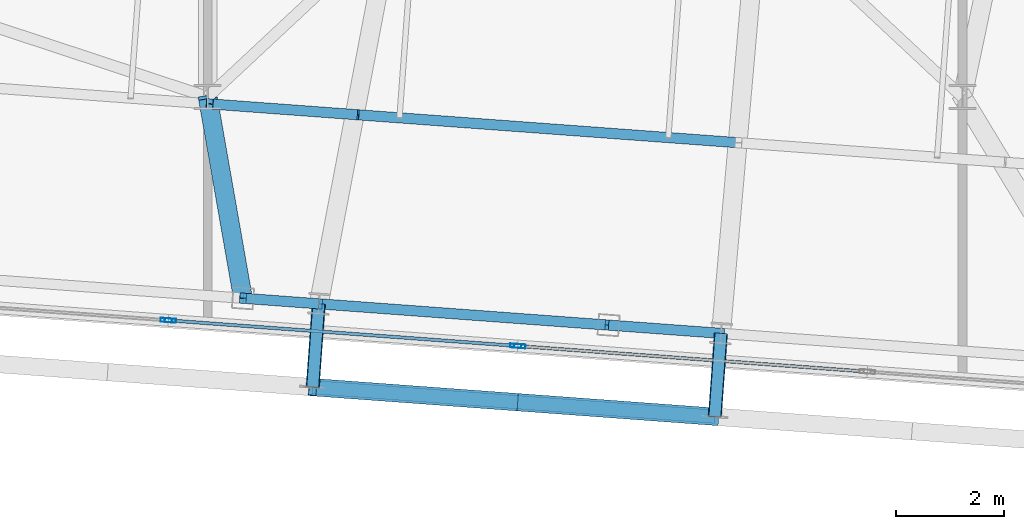
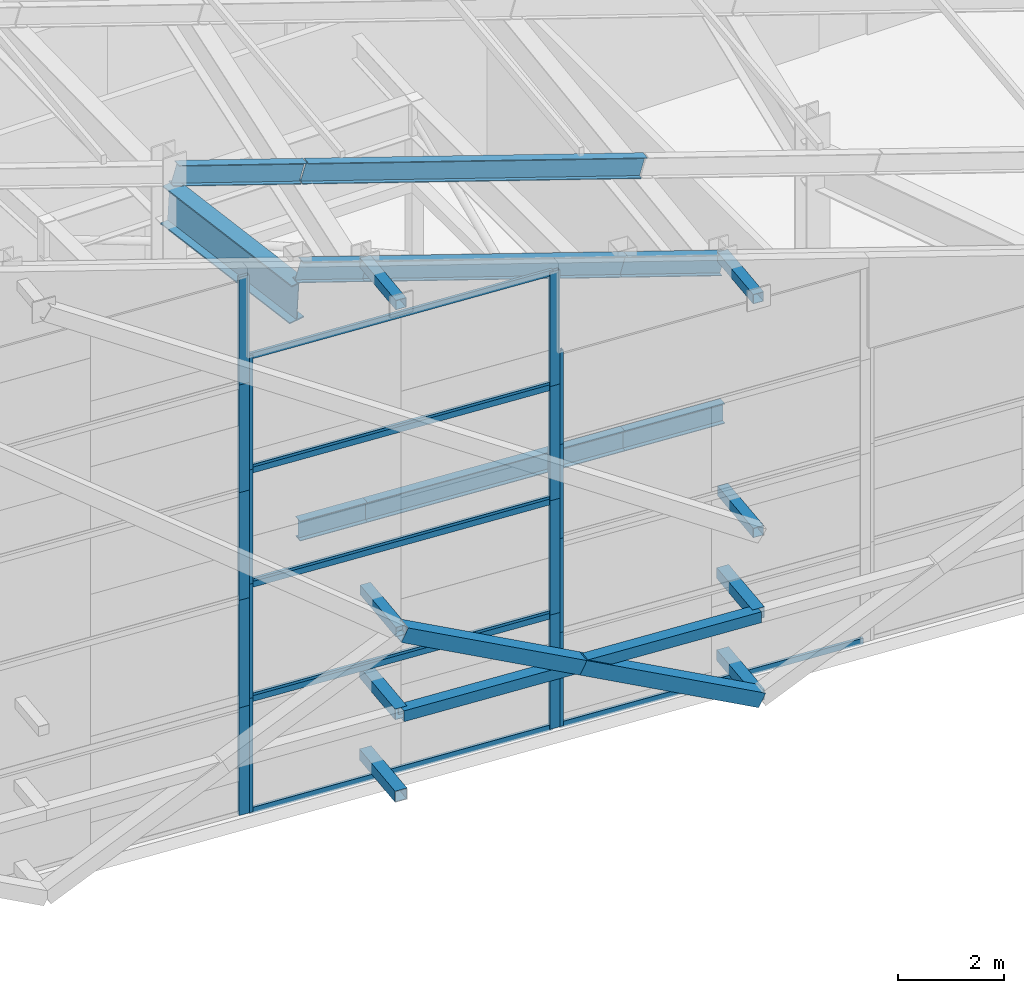
# One storey, part 10 of 56: 39 members, 7 beams, 13 elements without a shape of their own.
"""IFC4 building model written with IfcOpenShell, lengths in metres."""

import ifcopenshell
import ifcopenshell.guid

model = None  # the IFC model being written
_history = None  # IfcOwnerHistory: only IFC2X3 demands one
_inside = {}  # id of a spatial element -> (the spatial element, [elements in it])
_under = {}  # id of a project, library or spatial element -> (it, [spatial elements below it])
_declared = {}  # id of a project -> (the project, [libraries it declares])
_typed = {}  # id of a type object -> (the type object, [elements of that type])
_made_of = {}  # id of a material, layer set ... -> (it, [elements and type objects made of it])


def new_model(schema):
    """Start an empty IFC model of exactly this schema.

    Asked for "IFC4X3", IfcOpenShell would pick the latest addendum, in which some entities
    have other attributes; the version numbers below select the first issue.
    IFC2X3 requires an IfcOwnerHistory on every rooted entity: one is made here for all.
    """
    global model, _history
    if schema == "IFC4X3":
        model = ifcopenshell.file(schema_version=(4, 3, 0, 0))
    else:
        model = ifcopenshell.file(schema=schema)
    _inside.clear()
    _under.clear()
    _declared.clear()
    _typed.clear()
    _made_of.clear()
    _history = None
    if model.schema == "IFC2X3":
        org = make("IfcOrganization", Name="unknown")
        user = make(
            "IfcPersonAndOrganization",
            ThePerson=make("IfcPerson", FamilyName="unknown"),
            TheOrganization=org,
        )
        app = make(
            "IfcApplication",
            ApplicationDeveloper=org,
            Version="unknown",
            ApplicationFullName="unknown",
            ApplicationIdentifier="unknown",
        )
        _history = make(
            "IfcOwnerHistory",
            OwningUser=user,
            OwningApplication=app,
            ChangeAction="ADDED",
            CreationDate=0,
        )
    return model


def make(cls, **values):
    """One entity of the class cls with the attributes given. An attribute that is None is left unset."""
    return model.create_entity(
        cls, **{name: value for name, value in values.items() if value is not None}
    )


def rooted(cls, **values):
    """An entity with a GlobalId (a new one), such as an element, a storey or a relation."""
    return make(cls, GlobalId=ifcopenshell.guid.new(), OwnerHistory=_history, **values)


def si_unit(unit_type, name, prefix=None):
    """IfcSIUnit, for example si_unit("LENGTHUNIT", "METRE", prefix="MILLI")."""
    return make("IfcSIUnit", UnitType=unit_type, Prefix=prefix, Name=name)


def assignment(units):
    """IfcUnitAssignment: the units of a project."""
    return None if units is None else make("IfcUnitAssignment", Units=units)


def point(xyz):
    """IfcCartesianPoint."""
    return None if xyz is None else make("IfcCartesianPoint", Coordinates=xyz)


def direction(xyz):
    """IfcDirection."""
    return None if xyz is None else make("IfcDirection", DirectionRatios=xyz)


def frame(location, z_axis=None, x_axis=None):
    """IfcAxis2Placement3D, a coordinate frame: its origin and axes. An axis left out is left unset."""
    return make(
        "IfcAxis2Placement3D",
        Location=point(location),
        Axis=direction(z_axis),
        RefDirection=direction(x_axis),
    )


def frame_2d(location, x_axis=None):
    """IfcAxis2Placement2D, a coordinate frame in the plane: its origin and x axis."""
    return make(
        "IfcAxis2Placement2D", Location=point(location), RefDirection=direction(x_axis)
    )


def origin():
    """The frame at (0, 0, 0) with its axes left unset."""
    return frame((0.0, 0.0, 0.0))


def origin_2d():
    """The frame at (0, 0) in the plane with its x axis left unset."""
    return frame_2d((0.0, 0.0))


def place(relative_to, where):
    """IfcLocalPlacement: puts the frame where relative to a parent placement (None: the world)."""
    return make(
        "IfcLocalPlacement", PlacementRelTo=relative_to, RelativePlacement=where
    )


def context(
    kind, dimensions, precision=None, world=None, true_north=None, identifier=None
):
    """IfcGeometricRepresentationContext, for example the 3D "Model" context."""
    return make(
        "IfcGeometricRepresentationContext",
        ContextIdentifier=identifier,
        ContextType=kind,
        CoordinateSpaceDimension=dimensions,
        Precision=precision,
        WorldCoordinateSystem=world,
        TrueNorth=true_north,
    )


def subcontext(parent, identifier, kind, view, scale=None):
    """IfcGeometricRepresentationSubContext, for example "Body" below "Model"."""
    return make(
        "IfcGeometricRepresentationSubContext",
        ContextIdentifier=identifier,
        ContextType=kind,
        ParentContext=parent,
        TargetScale=scale,
        TargetView=view,
    )


def project(units=None, contexts=None):
    """IfcProject with its units and contexts."""
    return rooted(
        "IfcProject",
        Name="project",
        RepresentationContexts=contexts,
        UnitsInContext=assignment(units),
    )


def spatial(cls, under=None, at=None, **own):
    """A site, building, storey or space (cls), placed at a placement, below another one or the project."""
    s = rooted(cls, ObjectPlacement=at, **own)
    if under is not None:
        _under.setdefault(under.id(), (under, []))[1].append(s)
    return s


def profile(cls, at=None, kind="AREA", **sizes):
    """A parametric profile (cls). Its sizes go by their IFC names, for example OverallWidth=200.0."""
    return make(cls, ProfileType=kind, Position=at, **sizes)


def hollow_rectangle(**sizes):
    """IfcRectangleHollowProfileDef."""
    return profile("IfcRectangleHollowProfileDef", **sizes)


def i_section(**sizes):
    """IfcIShapeProfileDef."""
    return profile("IfcIShapeProfileDef", **sizes)


def extrude(swept, where, along, depth):
    """IfcExtrudedAreaSolid: the profile swept, set in the frame where, extruded along a direction by depth."""
    return make(
        "IfcExtrudedAreaSolid",
        SweptArea=swept,
        Position=where,
        ExtrudedDirection=direction(along),
        Depth=depth,
    )


def shape(context_of_items, identifier, shape_type, items):
    """IfcShapeRepresentation: the items that make up one representation, for example the "Body"."""
    return make(
        "IfcShapeRepresentation",
        ContextOfItems=context_of_items,
        RepresentationIdentifier=identifier,
        RepresentationType=shape_type,
        Items=items,
    )


def source(mapping_origin, context_of_items, identifier, shape_type, items):
    """IfcRepresentationMap: a shape defined once, which mapped items show again and again."""
    return make(
        "IfcRepresentationMap",
        MappingOrigin=mapping_origin,
        MappedRepresentation=shape(context_of_items, identifier, shape_type, items),
    )


def transform(
    local_origin,
    x_axis=None,
    y_axis=None,
    z_axis=None,
    scale=None,
    scale2=None,
    scale3=None,
    uniform=True,
):
    """IfcCartesianTransformationOperator3D, or its non-uniform kind. x_axis, y_axis, z_axis: its Axis1, 2, 3."""
    if uniform:
        return make(
            "IfcCartesianTransformationOperator3D",
            Axis1=direction(x_axis),
            Axis2=direction(y_axis),
            LocalOrigin=point(local_origin),
            Scale=scale,
            Axis3=direction(z_axis),
        )
    return make(
        "IfcCartesianTransformationOperator3DnonUniform",
        Axis1=direction(x_axis),
        Axis2=direction(y_axis),
        LocalOrigin=point(local_origin),
        Scale=scale,
        Axis3=direction(z_axis),
        Scale2=scale2,
        Scale3=scale3,
    )


def mapped(mapping_source, mapping_target):
    """IfcMappedItem: shows the shape of a source again, moved by a transform."""
    return make(
        "IfcMappedItem", MappingSource=mapping_source, MappingTarget=mapping_target
    )


def material(Name=None, Category=None):
    """IfcMaterial."""
    return make("IfcMaterial", Name=Name, Category=Category)


def layer(
    of_material, thickness, ventilated=None, Name=None, Category=None, Priority=None
):
    """IfcMaterialLayer: one layer of a wall or slab, of a material (None: an air gap)."""
    return make(
        "IfcMaterialLayer",
        Material=of_material,
        LayerThickness=thickness,
        IsVentilated=ventilated,
        Name=Name,
        Category=Category,
        Priority=Priority,
    )


def layer_set(layers, Name=None):
    """IfcMaterialLayerSet."""
    return make("IfcMaterialLayerSet", MaterialLayers=layers, LayerSetName=Name)


def material_profile(
    of_material, cross_section, Name=None, Category=None, Priority=None
):
    """IfcMaterialProfile: a cross section and its material."""
    return make(
        "IfcMaterialProfile",
        Name=Name,
        Material=of_material,
        Profile=cross_section,
        Priority=Priority,
        Category=Category,
    )


def profile_set(profiles, Name=None, composite=None):
    """IfcMaterialProfileSet."""
    return make(
        "IfcMaterialProfileSet",
        Name=Name,
        MaterialProfiles=profiles,
        CompositeProfile=composite,
    )


def made_of(thing, what):
    """Note that an element or type object is made of a material, layer set ...; save() writes the relation."""
    if what is not None:
        _made_of.setdefault(what.id(), (what, []))[1].append(thing)
    return thing


def type_object(cls, material=None, **own):
    """A type object (cls), such as IfcWallType, which elements share."""
    return made_of(rooted(cls, **own), material)


def element(
    cls,
    number,
    at=None,
    inside=None,
    cuts=None,
    type_object=None,
    material=None,
    context=None,
    identifier="Body",
    shape_type=None,
    held_by="IfcProductDefinitionShape",
    body=None,
    shapes=None,
    **own,
):
    """One element of the class cls, such as IfcWall. Its Tag is "e" and its number.

    at: its placement. inside: the storey or other place that contains it. cuts: it is an
    opening in that element (IfcRelVoidsElement). A single representation is given by context,
    identifier, shape_type and body (its items); several are given by shapes. held_by: the class
    of the entity that holds the representations. save() writes the other relations.
    """
    e = rooted(cls, Tag="e%d" % number, ObjectPlacement=at, **own)
    if body is not None:
        shapes = [shape(context, identifier, shape_type, body)]
    if shapes is not None:
        e.Representation = make(held_by, Representations=shapes)
    if inside is not None:
        _inside.setdefault(inside.id(), (inside, []))[1].append(e)
    if cuts is not None:
        rooted(
            "IfcRelVoidsElement", RelatingBuildingElement=cuts, RelatedOpeningElement=e
        )
    if type_object is not None:
        _typed.setdefault(type_object.id(), (type_object, []))[1].append(e)
    return made_of(e, material)


def aggregate(whole, parts):
    """IfcRelAggregates: a whole, such as a stair, and the parts it consists of."""
    return rooted("IfcRelAggregates", RelatingObject=whole, RelatedObjects=parts)


def save(model, path):
    """Write the relations noted so far, then the file.

    IfcRelAggregates (storeys below a building ...), IfcRelContainedInSpatialStructure (elements
    in a storey), IfcRelDefinesByType, IfcRelAssociatesMaterial and IfcRelDeclares: one each for
    every whole, place, type object, material and project.
    """
    for whole, parts in _under.values():
        aggregate(whole, parts)
    for where, things in _inside.values():
        rooted(
            "IfcRelContainedInSpatialStructure",
            RelatedElements=things,
            RelatingStructure=where,
        )
    for kind, things in _typed.values():
        rooted("IfcRelDefinesByType", RelatedObjects=things, RelatingType=kind)
    for what, things in _made_of.values():
        rooted("IfcRelAssociatesMaterial", RelatedObjects=things, RelatingMaterial=what)
    for by, libraries in _declared.values():
        rooted("IfcRelDeclares", RelatingContext=by, RelatedDefinitions=libraries)
    model.write(path)


model = new_model("IFC4")

# Units and contexts
model_context = context("Model", 3, precision=1e-05, world=origin(), true_north=direction((0.0, 1.0)))
body_context = subcontext(model_context, "Body", "Model", "MODEL_VIEW")
ifc_project = project(units=[si_unit("LENGTHUNIT", "METRE"), si_unit("AREAUNIT", "SQUARE_METRE"), si_unit("VOLUMEUNIT", "CUBIC_METRE"), si_unit("PLANEANGLEUNIT", "RADIAN"), si_unit("MASSUNIT", "GRAM", prefix="KILO")], contexts=[model_context])

# Site, building, storey
site_placement = place(None, origin())
site = spatial("IfcSite", under=ifc_project, at=site_placement, CompositionType="ELEMENT")
building_placement = place(site_placement, origin())
building = spatial("IfcBuilding", under=site, at=building_placement, Name="Taldren Reach Tower", CompositionType="ELEMENT")
storey_placement = place(building_placement, frame((0.0, 0.0, 253.050048828125)))
storey = spatial("IfcBuildingStorey", under=building, at=storey_placement, Name="L77", CompositionType="ELEMENT", Elevation=253.050048828125)

# Members
ifc_material_1 = material(Name="Steel Gr 350 (C350L0)", Category="steel")
ifc_material_profile_1 = material_profile(ifc_material_1, hollow_rectangle(XDim=0.25, YDim=0.25, WallThickness=0.010009765625, at=origin_2d()), Name="250x250x10.0SHS")
ifc_profile_set_1 = profile_set([ifc_material_profile_1], Name="Steel Gr 350 (C350L0)")
member_type_1 = type_object("IfcMemberType", Name="MB-POST250", PredefinedType="POST", material=ifc_profile_set_1)
shared_shape_1 = source(origin(), body_context, "Body", "SweptSolid", [
    extrude(hollow_rectangle(XDim=0.25, YDim=0.25, WallThickness=0.010009765625, at=origin_2d()), origin(), (0.0, 0.0, 1.0), 1.5498046875),
])
for number, where, z_axis, x_axis, name in (
    (1, (30.060546875, 5.364501953125, 0.219970703125), (-0.073250797913, -0.997313551801, 0.0), (0.997313551801, -0.073250797913, 0.0), "Exoskeleton base diaphragm tie strut B5-S3 L77"),
    (2, (30.060546875, 5.364501953125, 2.10986328125), (-0.073250797913, -0.997313551801, 0.0), (0.997313551801, -0.073250797913, 0.0), "Exoskeleton mid-tier diaphragm tie B5-S3 L77"),
):
    element("IfcMember", number, at=place(storey_placement, frame(where, z_axis=z_axis, x_axis=x_axis)), inside=storey, type_object=member_type_1, Name=name, PredefinedType="POST", context=body_context, shape_type="MappedRepresentation", body=[
        mapped(shared_shape_1, transform((0.0, 0.0, 0.0), scale=1.0)),
    ])
shared_shape_2 = source(origin(), body_context, "Body", "SweptSolid", [
    extrude(hollow_rectangle(XDim=0.25, YDim=0.25, WallThickness=0.010009765625, at=origin_2d()), origin(), (0.0, 0.0, 1.0), 1.550048828125),
])
for number, where, z_axis, x_axis, name in (
    (3, (37.5205078125, 4.81689453125, 0.219970703125), (-0.07323929162, -0.997314396849, 0.0), (0.997314396849, -0.07323929162, 0.0), "Exoskeleton base diaphragm tie strut B5-S4 L77"),
    (4, (37.5205078125, 4.81689453125, 2.10986328125), (-0.07323929162, -0.997314396849, 0.0), (0.997314396849, -0.07323929162, 0.0), "Exoskeleton mid-tier diaphragm tie B5-S4 L77"),
):
    element("IfcMember", number, at=place(storey_placement, frame(where, z_axis=z_axis, x_axis=x_axis)), inside=storey, type_object=member_type_1, Name=name, PredefinedType="POST", context=body_context, shape_type="MappedRepresentation", body=[
        mapped(shared_shape_2, transform((0.0, 0.0, 0.0), scale=1.0)),
    ])
ifc_material_2 = material(Name="Steel Gr 450 (C450L0)", Category="steel")
ifc_material_profile_2 = material_profile(ifc_material_2, hollow_rectangle(XDim=0.219970703125, YDim=0.219970703125, WallThickness=0.00830078125, at=origin_2d()), Name="220x220x8.2SHS")
ifc_profile_set_2 = profile_set([ifc_material_profile_2], Name="Steel Gr 450 (C450L0)")
member_type_2 = type_object("IfcMemberType", Name="MB-TIE219", PredefinedType="STRUT", material=ifc_profile_set_2)
shared_shape_3 = source(origin(), body_context, "Body", "SweptSolid", [
    extrude(hollow_rectangle(XDim=0.219970703125, YDim=0.219970703125, WallThickness=0.00830078125, at=origin_2d()), origin(), (0.0, 0.0, 1.0), 1.5498046875),
])
for number, where, z_axis, x_axis, name in (
    (5, (30.060546875, 5.364501953125, 11.52197265625), (-0.073250797913, -0.997313551801, 0.0), (0.997313551801, -0.073250797913, 0.0), "Exoskeleton diaphragm tie strut B5-S3 L77"),
    (6, (30.060546875, 5.364501953125, 4.0), (-0.073250797913, -0.997313551801, 0.0), (0.997313551801, -0.073250797913, 0.0), "Crown exoskeleton mid-tier tie strut B5-S3"),
):
    element("IfcMember", number, at=place(storey_placement, frame(where, z_axis=z_axis, x_axis=x_axis)), inside=storey, type_object=member_type_2, Name=name, PredefinedType="STRUT", context=body_context, shape_type="MappedRepresentation", body=[
        mapped(shared_shape_3, transform((0.0, 0.0, 0.0), scale=1.0)),
    ])
shared_shape_4 = source(origin(), body_context, "Body", "SweptSolid", [
    extrude(hollow_rectangle(XDim=0.219970703125, YDim=0.219970703125, WallThickness=0.00830078125, at=origin_2d()), origin(), (0.0, 0.0, 1.0), 1.550048828125),
])
for number, where, z_axis, x_axis, name in (
    (7, (37.5205078125, 4.81689453125, 9.3779296875), (-0.07323929162, -0.997314396849, 0.0), (0.997314396849, -0.07323929162, 0.0), "Exoskeleton diaphragm tie strut B5-S4 L77"),
    (8, (37.5205078125, 4.81689453125, 4.0), (-0.07323929162, -0.997314396849, 0.0), (0.997314396849, -0.07323929162, 0.0), "Crown exoskeleton mid-tier tie strut B5-S4"),
):
    element("IfcMember", number, at=place(storey_placement, frame(where, z_axis=z_axis, x_axis=x_axis)), inside=storey, type_object=member_type_2, Name=name, PredefinedType="STRUT", context=body_context, shape_type="MappedRepresentation", body=[
        mapped(shared_shape_4, transform((0.0, 0.0, 0.0), scale=1.0)),
    ])
shared_shape_5 = source(origin(), body_context, "Body", "SweptSolid", [
    extrude(hollow_rectangle(XDim=0.25, YDim=0.25, WallThickness=0.010009765625, at=origin_2d()), origin(), (0.0, 0.0, 1.0), 7.47998046875),
])
member_1_placement = place(storey_placement, frame((29.947021484375, 3.81884765625, 2.10986328125), z_axis=(0.997314220642, -0.07324169103, 0.0), x_axis=(0.07324169103, 0.997314220642, 0.0)))
element("IfcMember", 9, at=member_1_placement, inside=storey, type_object=member_type_1, Name="Exoskeleton mid-height ring chord B5-S3 L77", PredefinedType="POST", context=body_context, shape_type="MappedRepresentation", body=[
    mapped(shared_shape_5, transform((0.0, 0.0, 0.0), scale=1.0)),
])

# Beam
ifc_material_3 = material(Name="Steel Gr 350 (350PLUS)", Category="steel")
ifc_material_profile_3 = material_profile(ifc_material_3, i_section(OverallWidth=0.35009765625, OverallDepth=0.916015625, WebThickness=0.013916015625, FlangeThickness=0.028076171875, at=origin_2d()), Name="900WB257")
ifc_profile_set_3 = profile_set([ifc_material_profile_3], Name="Steel Gr 350 (350PLUS)")
beam_type_1 = type_object("IfcBeamType", Name="BM-WB900", PredefinedType="BEAM", material=ifc_profile_set_3)
shared_shape_6 = source(origin(), body_context, "Body", "SweptSolid", [
    extrude(i_section(OverallWidth=0.35009765625, OverallDepth=0.916015625, WebThickness=0.013916015625, FlangeThickness=0.028076171875, at=origin_2d()), origin(), (0.0, 0.0, 1.0), 3.79833984375),
])
beam_1_placement = place(storey_placement, frame((28.654296875, 5.4677734375, 11.024658203125), z_axis=(-0.172256101292, 0.982566798677, 0.069930835151), x_axis=(-0.984978180486, -0.172678846321, 0.0)))
element("IfcBeam", 10, at=beam_1_placement, inside=storey, type_object=beam_type_1, Name="Crown transverse portal girder PF2-1", PredefinedType="BEAM", context=body_context, shape_type="MappedRepresentation", body=[
    mapped(shared_shape_6, transform((0.0, 0.0, 0.0), scale=1.0)),
])

# Members
ifc_material_profile_4 = material_profile(ifc_material_3, i_section(OverallWidth=0.19091796875, OverallDepth=0.4599609375, WebThickness=0.010009765625, FlangeThickness=0.01611328125, at=origin_2d()), Name="460UB82.1")
ifc_profile_set_4 = profile_set([ifc_material_profile_4], Name="Steel Gr 350 (350PLUS)")
member_type_3 = type_object("IfcMemberType", Name="MB-RAF460", PredefinedType="RAFTER", material=ifc_profile_set_4)
shared_shape_7 = source(origin(), body_context, "Body", "SweptSolid", [
    extrude(i_section(OverallWidth=0.19091796875, OverallDepth=0.4599609375, WebThickness=0.010009765625, FlangeThickness=0.01611328125, at=origin_2d()), origin(), (0.0, 0.0, 1.0), 7.377685546875),
])
member_2_placement = place(storey_placement, frame((37.815185546875, 8.354736328125, 9.193603515625), z_axis=(-0.958704661283, 0.070386414502, 0.275556028943), x_axis=(-0.073221171245, -0.997315727381, 0.0)))
element("IfcMember", 11, at=member_2_placement, inside=storey, type_object=member_type_3, Name="Crown sloped rafter RF-1.4", PredefinedType="RAFTER", context=body_context, shape_type="MappedRepresentation", body=[
    mapped(shared_shape_7, transform((0.0, 0.0, 0.0), scale=1.0)),
])
shared_shape_8 = source(origin(), body_context, "Body", "SweptSolid", [
    extrude(i_section(OverallWidth=0.19091796875, OverallDepth=0.4599609375, WebThickness=0.010009765625, FlangeThickness=0.01611328125, at=origin_2d()), origin(), (0.0, 0.0, 1.0), 2.79052734375),
])
member_3_placement = place(storey_placement, frame((30.71240234375, 8.876220703125, 11.235107421875), z_axis=(-0.958692727429, 0.070427782951, 0.275586976766), x_axis=(-0.073264881948, -0.997312517255, 0.0)))
element("IfcMember", 12, at=member_3_placement, inside=storey, type_object=member_type_3, Name="Crown sloped rafter RF-1.5", PredefinedType="RAFTER", context=body_context, shape_type="MappedRepresentation", body=[
    mapped(shared_shape_8, transform((0.0, 0.0, 0.0), scale=1.0)),
])

# Beams
ifc_material_profile_5 = material_profile(ifc_material_3, i_section(OverallWidth=0.19091796875, OverallDepth=0.4599609375, WebThickness=0.010009765625, FlangeThickness=0.01611328125, at=origin_2d()), Name="460UB82.1")
ifc_profile_set_5 = profile_set([ifc_material_profile_5], Name="Steel Gr 350 (350PLUS)")
beam_type_2 = type_object("IfcBeamType", Name="BM-UB460A", PredefinedType="BEAM", material=ifc_profile_set_5)
shared_shape_9 = source(origin(), body_context, "Body", "SweptSolid", [
    extrude(i_section(OverallWidth=0.19091796875, OverallDepth=0.4599609375, WebThickness=0.010009765625, FlangeThickness=0.01611328125, at=origin_2d()), origin(), (0.0, 0.0, 1.0), 1.466796875),
])
beam_2_placement = place(storey_placement, frame((28.654296875, 5.4677734375, 11.751953125), z_axis=(0.958684508881, -0.070403393621, -0.275621796303), x_axis=(0.073240270738, 0.997314324946, 0.0)))
element("IfcBeam", 13, at=beam_2_placement, inside=storey, type_object=beam_type_2, Name="Crown sloped perimeter rake girder S3", PredefinedType="BEAM", context=body_context, shape_type="MappedRepresentation", body=[
    mapped(shared_shape_9, transform((0.0, 0.0, 0.0), scale=1.0)),
])
shared_shape_10 = source(origin(), body_context, "Body", "SweptSolid", [
    extrude(i_section(OverallWidth=0.19091796875, OverallDepth=0.4599609375, WebThickness=0.010009765625, FlangeThickness=0.01611328125, at=origin_2d()), origin(), (0.0, 0.0, 1.0), 5.60693359375),
])
beam_3_placement = place(storey_placement, frame((30.060546875, 5.364501953125, 11.34765625), z_axis=(0.958709372828, -0.07040753274, -0.275534240678), x_axis=(0.073242664148, 0.997314149177, 0.0)))
element("IfcBeam", 14, at=beam_3_placement, inside=storey, type_object=beam_type_2, Name="Crown sloped perimeter rake girder S4", PredefinedType="BEAM", context=body_context, shape_type="MappedRepresentation", body=[
    mapped(shared_shape_10, transform((0.0, 0.0, 0.0), scale=1.0)),
])
shared_shape_11 = source(origin(), body_context, "Body", "SweptSolid", [
    extrude(i_section(OverallWidth=0.19091796875, OverallDepth=0.4599609375, WebThickness=0.010009765625, FlangeThickness=0.01611328125, at=origin_2d()), origin(), (0.0, 0.0, 1.0), 2.17431640625),
])
beam_4_placement = place(storey_placement, frame((35.43603515625, 4.9697265625, 9.802734375), z_axis=(0.958682509183, -0.070289909903, -0.275657713755), x_axis=(0.073122997697, 0.997322930253, 0.0)))
element("IfcBeam", 15, at=beam_4_placement, inside=storey, type_object=beam_type_2, Name="Crown sloped perimeter rake girder S5", PredefinedType="BEAM", context=body_context, shape_type="MappedRepresentation", body=[
    mapped(shared_shape_11, transform((0.0, 0.0, 0.0), scale=1.0)),
])
shared_shape_12 = source(origin(), body_context, "Body", "SweptSolid", [
    extrude(i_section(OverallWidth=0.19091796875, OverallDepth=0.4599609375, WebThickness=0.010009765625, FlangeThickness=0.01611328125, at=origin_2d()), origin(), (0.0, 0.0, 1.0), 1.41015625),
])
beam_5_placement = place(storey_placement, frame((28.654296875, 5.4677734375, 5.800048828125), z_axis=(0.997314324946, -0.073240270738, 0.0), x_axis=(0.073240270738, 0.997314324946, 0.0)))
element("IfcBeam", 16, at=beam_5_placement, inside=storey, type_object=beam_type_2, Name="Crown perimeter wind girt LO PJ1-S3", PredefinedType="BEAM", context=body_context, shape_type="MappedRepresentation", body=[
    mapped(shared_shape_12, transform((0.0, 0.0, 0.0), scale=1.0)),
])
shared_shape_13 = source(origin(), body_context, "Body", "SweptSolid", [
    extrude(i_section(OverallWidth=0.19091796875, OverallDepth=0.4599609375, WebThickness=0.010009765625, FlangeThickness=0.01611328125, at=origin_2d()), origin(), (0.0, 0.0, 1.0), 5.389892578125),
])
beam_6_placement = place(storey_placement, frame((30.060546875, 5.364501953125, 5.800048828125), z_axis=(0.997314149177, -0.073242664148, 0.0), x_axis=(0.073242664148, 0.997314149177, 0.0)))
element("IfcBeam", 17, at=beam_6_placement, inside=storey, type_object=beam_type_2, Name="Crown perimeter wind girt LO S3-PJ2", PredefinedType="BEAM", context=body_context, shape_type="MappedRepresentation", body=[
    mapped(shared_shape_13, transform((0.0, 0.0, 0.0), scale=1.0)),
])
shared_shape_14 = source(origin(), body_context, "Body", "SweptSolid", [
    extrude(i_section(OverallWidth=0.19091796875, OverallDepth=0.4599609375, WebThickness=0.010009765625, FlangeThickness=0.01611328125, at=origin_2d()), origin(), (0.0, 0.0, 1.0), 2.090087890625),
])
beam_7_placement = place(storey_placement, frame((35.43603515625, 4.9697265625, 5.800048828125), z_axis=(0.997322930253, -0.073122997697, 0.0), x_axis=(0.073122997697, 0.997322930253, 0.0)))
element("IfcBeam", 18, at=beam_7_placement, inside=storey, type_object=beam_type_2, Name="Crown perimeter wind girt LO PJ2-S4", PredefinedType="BEAM", context=body_context, shape_type="MappedRepresentation", body=[
    mapped(shared_shape_14, transform((0.0, 0.0, 0.0), scale=1.0)),
])

# Members
ifc_material_profile_6 = material_profile(ifc_material_2, hollow_rectangle(XDim=0.324951171875, YDim=0.324951171875, WallThickness=0.0126953125, at=origin_2d()), Name="325x325x12.7SHS")
ifc_profile_set_6 = profile_set([ifc_material_profile_6], Name="Steel Gr 450 (C450L0)")
member_type_4 = type_object("IfcMemberType", Name="MB-BR324", PredefinedType="BRACE", material=ifc_profile_set_6)
shared_shape_15 = source(origin(), body_context, "Body", "SweptSolid", [
    extrude(hollow_rectangle(XDim=0.324951171875, YDim=0.324951171875, WallThickness=0.0126953125, at=origin_2d()), origin(), (0.0, 0.0, 1.0), 4.1904296875),
])
for number, where, z_axis, x_axis, name in (
    (19, (37.406982421875, 3.27099609375, 0.219970703125), (-0.890124363023, 0.065369782387, 0.451004889001), (-0.07324169103, -0.997314220642, 0.0), "Exoskeleton Diagrid Brace B5-S3 L77"),
    (20, (33.677001953125, 3.544921875, 2.10986328125), (-0.890100973194, 0.065368064663, 0.451051298237), (-0.07324169103, -0.997314220642, 0.0), "Exoskeleton Diagrid Brace B5-S3 L77"),
):
    element("IfcMember", number, at=place(storey_placement, frame(where, z_axis=z_axis, x_axis=x_axis)), inside=storey, type_object=member_type_4, Name=name, PredefinedType="BRACE", context=body_context, shape_type="MappedRepresentation", body=[
        mapped(shared_shape_15, transform((0.0, 0.0, 0.0), scale=1.0)),
    ])

# Curtain wall, members
ifc_material_4 = material(Name="Aluminium and Low-E Glass Unitised System", Category="aluminium")
ifc_layer = layer(ifc_material_4, 0.159912109375)
ifc_layer_set = layer_set([ifc_layer], Name="Aluminium and Low-E Glass Unitised System")
curtain_wall_type = type_object("IfcCurtainWallType", Name="CW-SYS-8", PredefinedType="NOTDEFINED", material=ifc_layer_set)
curtain_wall_1_placement = place(storey_placement, origin())
curtain_wall_1 = element("IfcCurtainWall", 21, at=curtain_wall_1_placement, inside=storey, type_object=curtain_wall_type, Name="Unitised curtain wall CW8-L77-S3", PredefinedType="NOTDEFINED")
ifc_material_5 = material(Name="Anodised Aluminium 6063-T6", Category="aluminium")
ifc_material_profile_7 = material_profile(ifc_material_5, hollow_rectangle(XDim=0.06005859375, YDim=0.135009765625, WallThickness=0.00341796875, at=origin_2d()), Name="ALU-135x60x3.5RHS")
ifc_profile_set_7 = profile_set([ifc_material_profile_7], Name="Anodised Aluminium 6063-T6")
member_type_5 = type_object("IfcMemberType", Name="CW-TRN-150", PredefinedType="USERDEFINED", material=ifc_profile_set_7)
shared_shape_16 = source(origin(), body_context, "Body", "SweptSolid", [
    extrude(hollow_rectangle(XDim=0.06005859375, YDim=0.135009765625, WallThickness=0.00341796875, at=origin_2d()), origin(), (0.0, 0.0, 1.0), 6.349853515625),
])
member_4_placement = place(storey_placement, frame((27.345458984375, 5.052490234375, 0.030029296875), z_axis=(0.997316838771, -0.073206031883, 0.0), x_axis=(0.073206031883, 0.997316838771, 0.0)))
member_4 = element("IfcMember", 22, at=member_4_placement, type_object=member_type_5, Name="CW-8 transom 1.1", ObjectType="TRANSOM", PredefinedType="USERDEFINED", context=body_context, shape_type="MappedRepresentation", body=[
    mapped(shared_shape_16, transform((0.0, 0.0, 0.0), scale=1.0)),
])
member_5_placement = place(storey_placement, frame((27.345458984375, 5.052490234375, 2.5986328125), z_axis=(0.997316838771, -0.073206031883, 0.0), x_axis=(0.073206031883, 0.997316838771, 0.0)))
member_5 = element("IfcMember", 23, at=member_5_placement, type_object=member_type_5, Name="CW-8 transom 1.2", ObjectType="TRANSOM", PredefinedType="USERDEFINED", context=body_context, shape_type="MappedRepresentation", body=[
    mapped(shared_shape_16, transform((0.0, 0.0, 0.0), scale=1.0)),
])

curtain_wall_2_placement = place(storey_placement, origin())
curtain_wall_2 = element("IfcCurtainWall", 24, at=curtain_wall_2_placement, inside=storey, type_object=curtain_wall_type, Name="Unitised curtain wall CW8-L77-S3-T2", PredefinedType="NOTDEFINED")
member_6_placement = place(storey_placement, frame((27.345458984375, 5.052490234375, 2.65869140625), z_axis=(0.997316838771, -0.073206031883, 0.0), x_axis=(0.073206031883, 0.997316838771, 0.0)))
member_6 = element("IfcMember", 25, at=member_6_placement, type_object=member_type_5, Name="CW-8 transom 1.1", ObjectType="TRANSOM", PredefinedType="USERDEFINED", context=body_context, shape_type="MappedRepresentation", body=[
    mapped(shared_shape_16, transform((0.0, 0.0, 0.0), scale=1.0)),
])
member_7_placement = place(storey_placement, frame((27.345458984375, 5.052490234375, 5.227294921875), z_axis=(0.997316838771, -0.073206031883, 0.0), x_axis=(0.073206031883, 0.997316838771, 0.0)))
member_7 = element("IfcMember", 26, at=member_7_placement, type_object=member_type_5, Name="CW-8 transom 1.2", ObjectType="TRANSOM", PredefinedType="USERDEFINED", context=body_context, shape_type="MappedRepresentation", body=[
    mapped(shared_shape_16, transform((0.0, 0.0, 0.0), scale=1.0)),
])

curtain_wall_3_placement = place(storey_placement, origin())
curtain_wall_3 = element("IfcCurtainWall", 27, at=curtain_wall_3_placement, inside=storey, type_object=curtain_wall_type, Name="Unitised curtain wall CW8-L77-S3-T3", PredefinedType="NOTDEFINED")
member_8_placement = place(storey_placement, frame((27.345458984375, 5.052490234375, 5.287353515625), z_axis=(0.997316838771, -0.073206031883, 0.0), x_axis=(0.073206031883, 0.997316838771, 0.0)))
member_8 = element("IfcMember", 28, at=member_8_placement, type_object=member_type_5, Name="CW-8 transom 1.1", ObjectType="TRANSOM", PredefinedType="USERDEFINED", context=body_context, shape_type="MappedRepresentation", body=[
    mapped(shared_shape_16, transform((0.0, 0.0, 0.0), scale=1.0)),
])
member_9_placement = place(storey_placement, frame((27.345458984375, 5.052490234375, 7.856201171875), z_axis=(0.997316838771, -0.073206031883, 0.0), x_axis=(0.073206031883, 0.997316838771, 0.0)))
member_9 = element("IfcMember", 29, at=member_9_placement, type_object=member_type_5, Name="CW-8 transom 1.2", ObjectType="TRANSOM", PredefinedType="USERDEFINED", context=body_context, shape_type="MappedRepresentation", body=[
    mapped(shared_shape_16, transform((0.0, 0.0, 0.0), scale=1.0)),
])

curtain_wall_4_placement = place(storey_placement, origin())
curtain_wall_4 = element("IfcCurtainWall", 30, at=curtain_wall_4_placement, inside=storey, type_object=curtain_wall_type, Name="Unitised curtain wall CW8-L77-S3-T4", PredefinedType="NOTDEFINED")
member_10_placement = place(storey_placement, frame((27.345458984375, 5.052490234375, 7.916015625), z_axis=(0.997316838771, -0.073206031883, 0.0), x_axis=(0.073206031883, 0.997316838771, 0.0)))
member_10 = element("IfcMember", 31, at=member_10_placement, type_object=member_type_5, Name="CW-8 transom 1.1", ObjectType="TRANSOM", PredefinedType="USERDEFINED", context=body_context, shape_type="MappedRepresentation", body=[
    mapped(shared_shape_16, transform((0.0, 0.0, 0.0), scale=1.0)),
])
member_11_placement = place(storey_placement, frame((27.345458984375, 5.052490234375, 10.48486328125), z_axis=(0.997316838771, -0.073206031883, 0.0), x_axis=(0.073206031883, 0.997316838771, 0.0)))
member_11 = element("IfcMember", 32, at=member_11_placement, type_object=member_type_5, Name="CW-8 transom 1.2", ObjectType="TRANSOM", PredefinedType="USERDEFINED", context=body_context, shape_type="MappedRepresentation", body=[
    mapped(shared_shape_16, transform((0.0, 0.0, 0.0), scale=1.0)),
])

# Curtain wall, member
curtain_wall_5_placement = place(storey_placement, origin())
curtain_wall_5 = element("IfcCurtainWall", 33, at=curtain_wall_5_placement, inside=storey, type_object=curtain_wall_type, Name="Unitised curtain wall CW8-L77-S2", PredefinedType="NOTDEFINED")
ifc_material_profile_8 = material_profile(ifc_material_5, hollow_rectangle(XDim=0.074951171875, YDim=0.2099609375, WallThickness=0.00439453125, at=origin_2d()), Name="ALU-210x75x4.5RHS")
ifc_profile_set_8 = profile_set([ifc_material_profile_8], Name="Anodised Aluminium 6063-T6")
member_type_6 = type_object("IfcMemberType", Name="CW-MUL-200", PredefinedType="MULLION", material=ifc_profile_set_8)
shared_shape_17 = source(origin(), body_context, "Body", "SweptSolid", [
    extrude(hollow_rectangle(XDim=0.074951171875, YDim=0.2099609375, WallThickness=0.00439453125, at=origin_2d()), origin(), (0.0, 0.0, 1.0), 2.4755859375),
])
member_12_placement = place(storey_placement, frame((27.233154296875, 5.060791015625, 0.0), z_axis=(0.0, 0.0, 1.0), x_axis=(0.073238393838, 0.997314462779, 0.0)))
member_12 = element("IfcMember", 34, at=member_12_placement, type_object=member_type_6, Name="CW-8 mullion 2", PredefinedType="MULLION", context=body_context, shape_type="MappedRepresentation", body=[
    mapped(shared_shape_17, transform((0.0, 0.0, 0.0), scale=1.0)),
])
aggregate(curtain_wall_5, [member_12])

curtain_wall_6_placement = place(storey_placement, origin())
curtain_wall_6 = element("IfcCurtainWall", 35, at=curtain_wall_6_placement, inside=storey, type_object=curtain_wall_type, Name="Unitised curtain wall CW8-L77-S2-T2", PredefinedType="NOTDEFINED")
member_13_placement = place(storey_placement, frame((27.233154296875, 5.060791015625, 2.4755859375), z_axis=(0.0, 0.0, 1.0), x_axis=(0.073238393838, 0.997314462779, 0.0)))
member_13 = element("IfcMember", 36, at=member_13_placement, type_object=member_type_6, Name="CW-8 mullion 2", PredefinedType="MULLION", context=body_context, shape_type="MappedRepresentation", body=[
    mapped(shared_shape_17, transform((0.0, 0.0, 0.0), scale=1.0)),
])
aggregate(curtain_wall_6, [member_13])

curtain_wall_7_placement = place(storey_placement, origin())
curtain_wall_7 = element("IfcCurtainWall", 37, at=curtain_wall_7_placement, inside=storey, type_object=curtain_wall_type, Name="Unitised curtain wall CW8-L77-S2-T4", PredefinedType="NOTDEFINED")
member_14_placement = place(storey_placement, frame((27.233154296875, 5.060791015625, 7.427001953125), z_axis=(0.0, 0.0, 1.0), x_axis=(0.073238393838, 0.997314462779, 0.0)))
member_14 = element("IfcMember", 38, at=member_14_placement, type_object=member_type_6, Name="CW-8 mullion 2", PredefinedType="MULLION", context=body_context, shape_type="MappedRepresentation", body=[
    mapped(shared_shape_17, transform((0.0, 0.0, 0.0), scale=1.0)),
])
aggregate(curtain_wall_7, [member_14])

curtain_wall_8_placement = place(storey_placement, origin())
curtain_wall_8 = element("IfcCurtainWall", 39, at=curtain_wall_8_placement, inside=storey, type_object=curtain_wall_type, Name="Unitised curtain wall CW8-L77-S2-T5", PredefinedType="NOTDEFINED")
member_15_placement = place(storey_placement, frame((27.233154296875, 5.060791015625, 9.902587890625), z_axis=(0.0, 0.0, 1.0), x_axis=(0.073238393838, 0.997314462779, 0.0)))
member_15 = element("IfcMember", 40, at=member_15_placement, type_object=member_type_6, Name="CW-8 mullion 2", PredefinedType="MULLION", context=body_context, shape_type="MappedRepresentation", body=[
    mapped(shared_shape_17, transform((0.0, 0.0, 0.0), scale=1.0)),
])
aggregate(curtain_wall_8, [member_15])

curtain_wall_9_placement = place(storey_placement, origin())
curtain_wall_9 = element("IfcCurtainWall", 41, at=curtain_wall_9_placement, inside=storey, type_object=curtain_wall_type, Name="Unitised curtain wall CW8-L77-S4", PredefinedType="NOTDEFINED")
shared_shape_18 = source(origin(), body_context, "Body", "SweptSolid", [
    extrude(hollow_rectangle(XDim=0.06005859375, YDim=0.135009765625, WallThickness=0.00341796875, at=origin_2d()), origin(), (0.0, 0.0, 1.0), 6.35009765625),
])
member_16_placement = place(storey_placement, frame((33.827880859375, 4.57666015625, 0.030029296875), z_axis=(0.997314237186, -0.073241465761, 0.0), x_axis=(0.073241465761, 0.997314237186, 0.0)))
member_16 = element("IfcMember", 42, at=member_16_placement, type_object=member_type_5, Name="CW-8 transom 1.1", ObjectType="TRANSOM", PredefinedType="USERDEFINED", context=body_context, shape_type="MappedRepresentation", body=[
    mapped(shared_shape_18, transform((0.0, 0.0, 0.0), scale=1.0)),
])

curtain_wall_10_placement = place(storey_placement, origin())
curtain_wall_10 = element("IfcCurtainWall", 43, at=curtain_wall_10_placement, inside=storey, type_object=curtain_wall_type, Name="Unitised curtain wall CW8-L77-S2-T3", PredefinedType="NOTDEFINED")
shared_shape_19 = source(origin(), body_context, "Body", "SweptSolid", [
    extrude(hollow_rectangle(XDim=0.074951171875, YDim=0.2099609375, WallThickness=0.00439453125, at=origin_2d()), origin(), (0.0, 0.0, 1.0), 2.475830078125),
])
member_17_placement = place(storey_placement, frame((27.233154296875, 5.060791015625, 4.951171875), z_axis=(0.0, 0.0, 1.0), x_axis=(0.073238393838, 0.997314462779, 0.0)))
member_17 = element("IfcMember", 44, at=member_17_placement, type_object=member_type_6, Name="CW-8 mullion 2", PredefinedType="MULLION", context=body_context, shape_type="MappedRepresentation", body=[
    mapped(shared_shape_19, transform((0.0, 0.0, 0.0), scale=1.0)),
])
aggregate(curtain_wall_10, [member_17])

# Member
shared_shape_20 = source(origin(), body_context, "Body", "SweptSolid", [
    extrude(hollow_rectangle(XDim=0.074951171875, YDim=0.2099609375, WallThickness=0.00439453125, at=origin_2d()), origin(), (0.0, 0.0, 1.0), 2.628662109375),
])
member_18_placement = place(storey_placement, frame((27.307861328125, 5.055419921875, 0.0), z_axis=(0.0, 0.0, 1.0), x_axis=(0.073236975997, 0.997314566898, 0.0)))
member_18 = element("IfcMember", 45, at=member_18_placement, type_object=member_type_6, Name="CW-8 mullion 1", PredefinedType="MULLION", context=body_context, shape_type="MappedRepresentation", body=[
    mapped(shared_shape_20, transform((0.0, 0.0, 0.0), scale=1.0)),
])

member_19_placement = place(storey_placement, frame((33.715576171875, 4.584716796875, 0.0), z_axis=(0.0, 0.0, 1.0), x_axis=(0.073236975997, 0.997314566898, 0.0)))
member_19 = element("IfcMember", 46, at=member_19_placement, type_object=member_type_6, Name="CW-8 mullion 2", PredefinedType="MULLION", context=body_context, shape_type="MappedRepresentation", body=[
    mapped(shared_shape_20, transform((0.0, 0.0, 0.0), scale=1.0)),
])

aggregate(curtain_wall_1, [member_18, member_19, member_4, member_5])

member_20_placement = place(storey_placement, frame((27.307861328125, 5.055419921875, 2.628662109375), z_axis=(0.0, 0.0, 1.0), x_axis=(0.073236975997, 0.997314566898, 0.0)))
member_20 = element("IfcMember", 47, at=member_20_placement, type_object=member_type_6, Name="CW-8 mullion 1", PredefinedType="MULLION", context=body_context, shape_type="MappedRepresentation", body=[
    mapped(shared_shape_20, transform((0.0, 0.0, 0.0), scale=1.0)),
])

member_21_placement = place(storey_placement, frame((33.715576171875, 4.584716796875, 2.628662109375), z_axis=(0.0, 0.0, 1.0), x_axis=(0.073236975997, 0.997314566898, 0.0)))
member_21 = element("IfcMember", 48, at=member_21_placement, type_object=member_type_6, Name="CW-8 mullion 2", PredefinedType="MULLION", context=body_context, shape_type="MappedRepresentation", body=[
    mapped(shared_shape_20, transform((0.0, 0.0, 0.0), scale=1.0)),
])

aggregate(curtain_wall_2, [member_20, member_21, member_6, member_7])

member_22_placement = place(storey_placement, frame((27.307861328125, 5.055419921875, 7.88623046875), z_axis=(0.0, 0.0, 1.0), x_axis=(0.073236975997, 0.997314566898, 0.0)))
member_22 = element("IfcMember", 49, at=member_22_placement, type_object=member_type_6, Name="CW-8 mullion 1", PredefinedType="MULLION", context=body_context, shape_type="MappedRepresentation", body=[
    mapped(shared_shape_20, transform((0.0, 0.0, 0.0), scale=1.0)),
])

member_23_placement = place(storey_placement, frame((33.715576171875, 4.584716796875, 7.88623046875), z_axis=(0.0, 0.0, 1.0), x_axis=(0.073236975997, 0.997314566898, 0.0)))
member_23 = element("IfcMember", 50, at=member_23_placement, type_object=member_type_6, Name="CW-8 mullion 2", PredefinedType="MULLION", context=body_context, shape_type="MappedRepresentation", body=[
    mapped(shared_shape_20, transform((0.0, 0.0, 0.0), scale=1.0)),
])

aggregate(curtain_wall_4, [member_22, member_23, member_10, member_11])

shared_shape_21 = source(origin(), body_context, "Body", "SweptSolid", [
    extrude(hollow_rectangle(XDim=0.074951171875, YDim=0.2099609375, WallThickness=0.00439453125, at=origin_2d()), origin(), (0.0, 0.0, 1.0), 2.62890625),
])
member_24_placement = place(storey_placement, frame((27.307861328125, 5.055419921875, 5.25732421875), z_axis=(0.0, 0.0, 1.0), x_axis=(0.073236975997, 0.997314566898, 0.0)))
member_24 = element("IfcMember", 51, at=member_24_placement, type_object=member_type_6, Name="CW-8 mullion 1", PredefinedType="MULLION", context=body_context, shape_type="MappedRepresentation", body=[
    mapped(shared_shape_21, transform((0.0, 0.0, 0.0), scale=1.0)),
])

member_25_placement = place(storey_placement, frame((33.715576171875, 4.584716796875, 5.25732421875), z_axis=(0.0, 0.0, 1.0), x_axis=(0.073236975997, 0.997314566898, 0.0)))
member_25 = element("IfcMember", 52, at=member_25_placement, type_object=member_type_6, Name="CW-8 mullion 2", PredefinedType="MULLION", context=body_context, shape_type="MappedRepresentation", body=[
    mapped(shared_shape_21, transform((0.0, 0.0, 0.0), scale=1.0)),
])

aggregate(curtain_wall_3, [member_24, member_25, member_8, member_9])

shared_shape_22 = source(origin(), body_context, "Body", "SweptSolid", [
    extrude(hollow_rectangle(XDim=0.074951171875, YDim=0.2099609375, WallThickness=0.00439453125, at=origin_2d()), origin(), (0.0, 0.0, 1.0), 2.162841796875),
])
member_26_placement = place(storey_placement, frame((33.79052734375, 4.579345703125, 0.0), z_axis=(0.0, 0.0, 1.0), x_axis=(0.073238506213, 0.997314454527, 0.0)))
member_26 = element("IfcMember", 53, at=member_26_placement, type_object=member_type_6, Name="CW-8 mullion 1", PredefinedType="MULLION", context=body_context, shape_type="MappedRepresentation", body=[
    mapped(shared_shape_22, transform((0.0, 0.0, 0.0), scale=1.0)),
])

aggregate(curtain_wall_9, [member_26, member_16])

# Curtain wall, member
curtain_wall_11_placement = place(storey_placement, origin())
curtain_wall_11 = element("IfcCurtainWall", 54, at=curtain_wall_11_placement, inside=storey, type_object=curtain_wall_type, Name="Unitised curtain wall CW8-L77-S4-T2", PredefinedType="NOTDEFINED")
member_27_placement = place(storey_placement, frame((33.79052734375, 4.579345703125, 2.162841796875), z_axis=(0.0, 0.0, 1.0), x_axis=(0.073238506213, 0.997314454527, 0.0)))
member_27 = element("IfcMember", 55, at=member_27_placement, type_object=member_type_6, Name="CW-8 mullion 1", PredefinedType="MULLION", context=body_context, shape_type="MappedRepresentation", body=[
    mapped(shared_shape_22, transform((0.0, 0.0, 0.0), scale=1.0)),
])
aggregate(curtain_wall_11, [member_27])

curtain_wall_12_placement = place(storey_placement, origin())
curtain_wall_12 = element("IfcCurtainWall", 56, at=curtain_wall_12_placement, inside=storey, type_object=curtain_wall_type, Name="Unitised curtain wall CW8-L77-S4-T4", PredefinedType="NOTDEFINED")
member_28_placement = place(storey_placement, frame((33.79052734375, 4.579345703125, 6.48876953125), z_axis=(0.0, 0.0, 1.0), x_axis=(0.073238506213, 0.997314454527, 0.0)))
member_28 = element("IfcMember", 57, at=member_28_placement, type_object=member_type_6, Name="CW-8 mullion 1", PredefinedType="MULLION", context=body_context, shape_type="MappedRepresentation", body=[
    mapped(shared_shape_22, transform((0.0, 0.0, 0.0), scale=1.0)),
])
aggregate(curtain_wall_12, [member_28])

curtain_wall_13_placement = place(storey_placement, origin())
curtain_wall_13 = element("IfcCurtainWall", 58, at=curtain_wall_13_placement, inside=storey, type_object=curtain_wall_type, Name="Unitised curtain wall CW8-L77-S4-T3", PredefinedType="NOTDEFINED")
shared_shape_23 = source(origin(), body_context, "Body", "SweptSolid", [
    extrude(hollow_rectangle(XDim=0.074951171875, YDim=0.2099609375, WallThickness=0.00439453125, at=origin_2d()), origin(), (0.0, 0.0, 1.0), 2.1630859375),
])
member_29_placement = place(storey_placement, frame((33.79052734375, 4.579345703125, 4.32568359375), z_axis=(0.0, 0.0, 1.0), x_axis=(0.073238506213, 0.997314454527, 0.0)))
member_29 = element("IfcMember", 59, at=member_29_placement, type_object=member_type_6, Name="CW-8 mullion 1", PredefinedType="MULLION", context=body_context, shape_type="MappedRepresentation", body=[
    mapped(shared_shape_23, transform((0.0, 0.0, 0.0), scale=1.0)),
])
aggregate(curtain_wall_13, [member_29])

save(model, "model.ifc")
